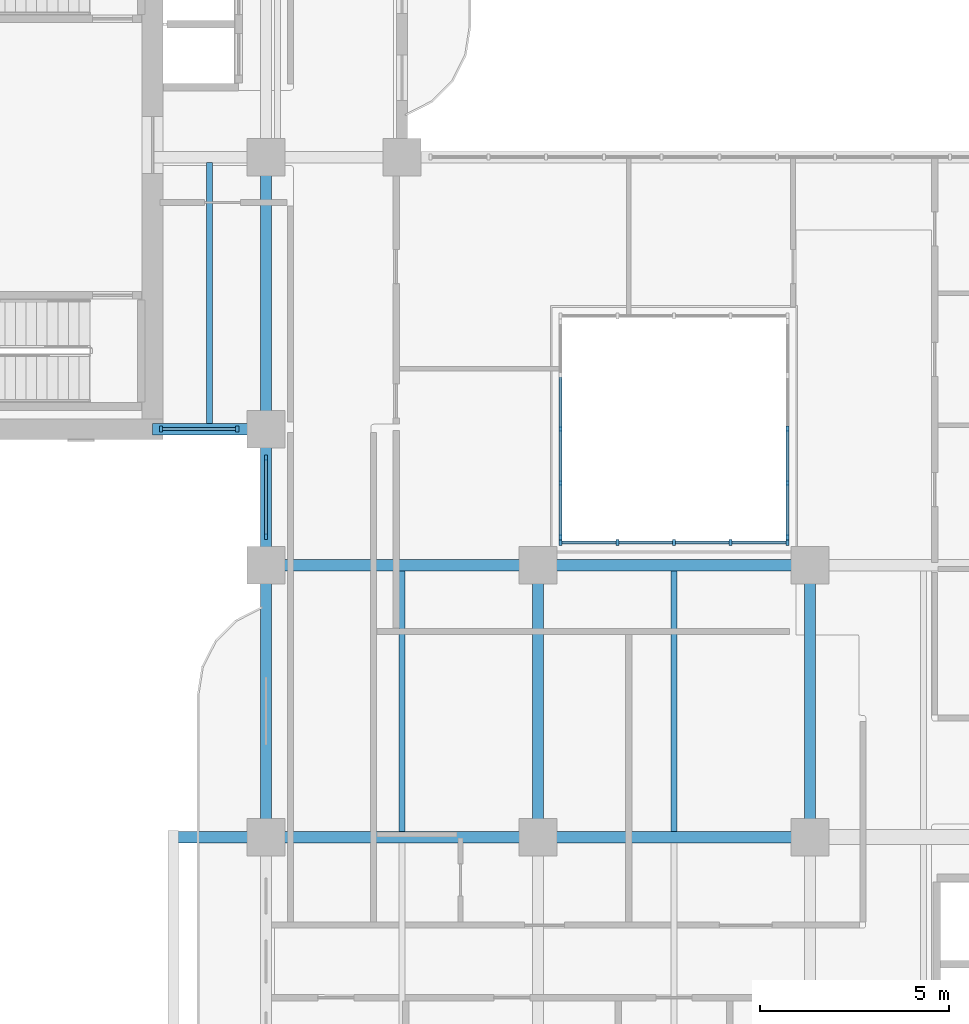
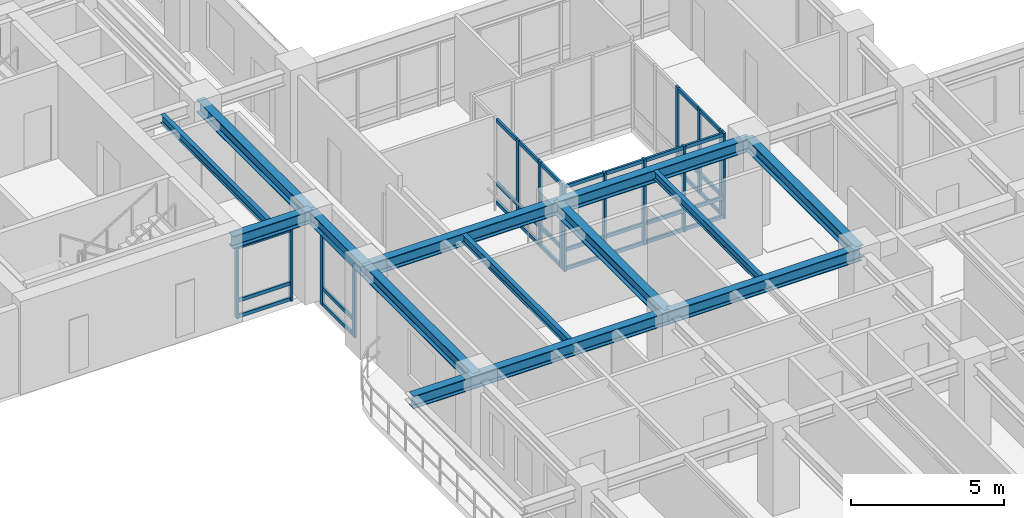
# One storey, part 2 of 21: 48 members, 13 beams, 5 elements without a shape of their own.
"""IFC4 building model written with IfcOpenShell, lengths in metres."""

import ifcopenshell
import ifcopenshell.guid

model = None  # the IFC model being written
_history = None  # IfcOwnerHistory: only IFC2X3 demands one
_inside = {}  # id of a spatial element -> (the spatial element, [elements in it])
_under = {}  # id of a project, library or spatial element -> (it, [spatial elements below it])
_declared = {}  # id of a project -> (the project, [libraries it declares])
_typed = {}  # id of a type object -> (the type object, [elements of that type])
_made_of = {}  # id of a material, layer set ... -> (it, [elements and type objects made of it])


def new_model(schema):
    """Start an empty IFC model of exactly this schema.

    Asked for "IFC4X3", IfcOpenShell would pick the latest addendum, in which some entities
    have other attributes; the version numbers below select the first issue.
    IFC2X3 requires an IfcOwnerHistory on every rooted entity: one is made here for all.
    """
    global model, _history
    if schema == "IFC4X3":
        model = ifcopenshell.file(schema_version=(4, 3, 0, 0))
    else:
        model = ifcopenshell.file(schema=schema)
    _inside.clear()
    _under.clear()
    _declared.clear()
    _typed.clear()
    _made_of.clear()
    _history = None
    if model.schema == "IFC2X3":
        org = make("IfcOrganization", Name="unknown")
        user = make(
            "IfcPersonAndOrganization",
            ThePerson=make("IfcPerson", FamilyName="unknown"),
            TheOrganization=org,
        )
        app = make(
            "IfcApplication",
            ApplicationDeveloper=org,
            Version="unknown",
            ApplicationFullName="unknown",
            ApplicationIdentifier="unknown",
        )
        _history = make(
            "IfcOwnerHistory",
            OwningUser=user,
            OwningApplication=app,
            ChangeAction="ADDED",
            CreationDate=0,
        )
    return model


def make(cls, **values):
    """One entity of the class cls with the attributes given. An attribute that is None is left unset."""
    return model.create_entity(
        cls, **{name: value for name, value in values.items() if value is not None}
    )


def rooted(cls, **values):
    """An entity with a GlobalId (a new one), such as an element, a storey or a relation."""
    return make(cls, GlobalId=ifcopenshell.guid.new(), OwnerHistory=_history, **values)


def si_unit(unit_type, name, prefix=None):
    """IfcSIUnit, for example si_unit("LENGTHUNIT", "METRE", prefix="MILLI")."""
    return make("IfcSIUnit", UnitType=unit_type, Prefix=prefix, Name=name)


def derived_unit(unit_type, elements):
    """IfcDerivedUnit: a product of units, each with its exponent."""
    return make(
        "IfcDerivedUnit",
        Elements=[
            make("IfcDerivedUnitElement", Unit=unit, Exponent=power)
            for unit, power in elements
        ],
        UnitType=unit_type,
    )


def assignment(units):
    """IfcUnitAssignment: the units of a project."""
    return None if units is None else make("IfcUnitAssignment", Units=units)


def point(xyz):
    """IfcCartesianPoint."""
    return None if xyz is None else make("IfcCartesianPoint", Coordinates=xyz)


def direction(xyz):
    """IfcDirection."""
    return None if xyz is None else make("IfcDirection", DirectionRatios=xyz)


def frame(location, z_axis=None, x_axis=None):
    """IfcAxis2Placement3D, a coordinate frame: its origin and axes. An axis left out is left unset."""
    return make(
        "IfcAxis2Placement3D",
        Location=point(location),
        Axis=direction(z_axis),
        RefDirection=direction(x_axis),
    )


def frame_2d(location, x_axis=None):
    """IfcAxis2Placement2D, a coordinate frame in the plane: its origin and x axis."""
    return make(
        "IfcAxis2Placement2D", Location=point(location), RefDirection=direction(x_axis)
    )


def origin():
    """The frame at (0, 0, 0) with its axes left unset."""
    return frame((0.0, 0.0, 0.0))


def origin_2d():
    """The frame at (0, 0) in the plane with its x axis left unset."""
    return frame_2d((0.0, 0.0))


def place(relative_to, where):
    """IfcLocalPlacement: puts the frame where relative to a parent placement (None: the world)."""
    return make(
        "IfcLocalPlacement", PlacementRelTo=relative_to, RelativePlacement=where
    )


def context(
    kind, dimensions, precision=None, world=None, true_north=None, identifier=None
):
    """IfcGeometricRepresentationContext, for example the 3D "Model" context."""
    return make(
        "IfcGeometricRepresentationContext",
        ContextIdentifier=identifier,
        ContextType=kind,
        CoordinateSpaceDimension=dimensions,
        Precision=precision,
        WorldCoordinateSystem=world,
        TrueNorth=true_north,
    )


def subcontext(parent, identifier, kind, view, scale=None):
    """IfcGeometricRepresentationSubContext, for example "Body" below "Model"."""
    return make(
        "IfcGeometricRepresentationSubContext",
        ContextIdentifier=identifier,
        ContextType=kind,
        ParentContext=parent,
        TargetScale=scale,
        TargetView=view,
    )


def project(units=None, contexts=None):
    """IfcProject with its units and contexts."""
    return rooted(
        "IfcProject",
        Name="project",
        RepresentationContexts=contexts,
        UnitsInContext=assignment(units),
    )


def spatial(cls, under=None, at=None, **own):
    """A site, building, storey or space (cls), placed at a placement, below another one or the project."""
    s = rooted(cls, ObjectPlacement=at, **own)
    if under is not None:
        _under.setdefault(under.id(), (under, []))[1].append(s)
    return s


def profile(cls, at=None, kind="AREA", **sizes):
    """A parametric profile (cls). Its sizes go by their IFC names, for example OverallWidth=200.0."""
    return make(cls, ProfileType=kind, Position=at, **sizes)


def rectangle(**sizes):
    """IfcRectangleProfileDef."""
    return profile("IfcRectangleProfileDef", **sizes)


def i_section(**sizes):
    """IfcIShapeProfileDef."""
    return profile("IfcIShapeProfileDef", **sizes)


def extrude(swept, where, along, depth):
    """IfcExtrudedAreaSolid: the profile swept, set in the frame where, extruded along a direction by depth."""
    return make(
        "IfcExtrudedAreaSolid",
        SweptArea=swept,
        Position=where,
        ExtrudedDirection=direction(along),
        Depth=depth,
    )


def shape(context_of_items, identifier, shape_type, items):
    """IfcShapeRepresentation: the items that make up one representation, for example the "Body"."""
    return make(
        "IfcShapeRepresentation",
        ContextOfItems=context_of_items,
        RepresentationIdentifier=identifier,
        RepresentationType=shape_type,
        Items=items,
    )


def source(mapping_origin, context_of_items, identifier, shape_type, items):
    """IfcRepresentationMap: a shape defined once, which mapped items show again and again."""
    return make(
        "IfcRepresentationMap",
        MappingOrigin=mapping_origin,
        MappedRepresentation=shape(context_of_items, identifier, shape_type, items),
    )


def transform(
    local_origin,
    x_axis=None,
    y_axis=None,
    z_axis=None,
    scale=None,
    scale2=None,
    scale3=None,
    uniform=True,
):
    """IfcCartesianTransformationOperator3D, or its non-uniform kind. x_axis, y_axis, z_axis: its Axis1, 2, 3."""
    if uniform:
        return make(
            "IfcCartesianTransformationOperator3D",
            Axis1=direction(x_axis),
            Axis2=direction(y_axis),
            LocalOrigin=point(local_origin),
            Scale=scale,
            Axis3=direction(z_axis),
        )
    return make(
        "IfcCartesianTransformationOperator3DnonUniform",
        Axis1=direction(x_axis),
        Axis2=direction(y_axis),
        LocalOrigin=point(local_origin),
        Scale=scale,
        Axis3=direction(z_axis),
        Scale2=scale2,
        Scale3=scale3,
    )


def mapped(mapping_source, mapping_target):
    """IfcMappedItem: shows the shape of a source again, moved by a transform."""
    return make(
        "IfcMappedItem", MappingSource=mapping_source, MappingTarget=mapping_target
    )


def material(Name=None, Category=None):
    """IfcMaterial."""
    return make("IfcMaterial", Name=Name, Category=Category)


def layer(
    of_material, thickness, ventilated=None, Name=None, Category=None, Priority=None
):
    """IfcMaterialLayer: one layer of a wall or slab, of a material (None: an air gap)."""
    return make(
        "IfcMaterialLayer",
        Material=of_material,
        LayerThickness=thickness,
        IsVentilated=ventilated,
        Name=Name,
        Category=Category,
        Priority=Priority,
    )


def layer_set(layers, Name=None):
    """IfcMaterialLayerSet."""
    return make("IfcMaterialLayerSet", MaterialLayers=layers, LayerSetName=Name)


def material_profile(
    of_material, cross_section, Name=None, Category=None, Priority=None
):
    """IfcMaterialProfile: a cross section and its material."""
    return make(
        "IfcMaterialProfile",
        Name=Name,
        Material=of_material,
        Profile=cross_section,
        Priority=Priority,
        Category=Category,
    )


def profile_set(profiles, Name=None, composite=None):
    """IfcMaterialProfileSet."""
    return make(
        "IfcMaterialProfileSet",
        Name=Name,
        MaterialProfiles=profiles,
        CompositeProfile=composite,
    )


def made_of(thing, what):
    """Note that an element or type object is made of a material, layer set ...; save() writes the relation."""
    if what is not None:
        _made_of.setdefault(what.id(), (what, []))[1].append(thing)
    return thing


def type_object(cls, material=None, **own):
    """A type object (cls), such as IfcWallType, which elements share."""
    return made_of(rooted(cls, **own), material)


def type_shapes(of_type, sources):
    """Give a type object the sources (RepresentationMaps) that its elements show as mapped items."""
    of_type.RepresentationMaps = sources


def element(
    cls,
    number,
    at=None,
    inside=None,
    cuts=None,
    type_object=None,
    material=None,
    context=None,
    identifier="Body",
    shape_type=None,
    held_by="IfcProductDefinitionShape",
    body=None,
    shapes=None,
    **own,
):
    """One element of the class cls, such as IfcWall. Its Tag is "e" and its number.

    at: its placement. inside: the storey or other place that contains it. cuts: it is an
    opening in that element (IfcRelVoidsElement). A single representation is given by context,
    identifier, shape_type and body (its items); several are given by shapes. held_by: the class
    of the entity that holds the representations. save() writes the other relations.
    """
    e = rooted(cls, Tag="e%d" % number, ObjectPlacement=at, **own)
    if body is not None:
        shapes = [shape(context, identifier, shape_type, body)]
    if shapes is not None:
        e.Representation = make(held_by, Representations=shapes)
    if inside is not None:
        _inside.setdefault(inside.id(), (inside, []))[1].append(e)
    if cuts is not None:
        rooted(
            "IfcRelVoidsElement", RelatingBuildingElement=cuts, RelatedOpeningElement=e
        )
    if type_object is not None:
        _typed.setdefault(type_object.id(), (type_object, []))[1].append(e)
    return made_of(e, material)


def aggregate(whole, parts):
    """IfcRelAggregates: a whole, such as a stair, and the parts it consists of."""
    return rooted("IfcRelAggregates", RelatingObject=whole, RelatedObjects=parts)


def save(model, path):
    """Write the relations noted so far, then the file.

    IfcRelAggregates (storeys below a building ...), IfcRelContainedInSpatialStructure (elements
    in a storey), IfcRelDefinesByType, IfcRelAssociatesMaterial and IfcRelDeclares: one each for
    every whole, place, type object, material and project.
    """
    for whole, parts in _under.values():
        aggregate(whole, parts)
    for where, things in _inside.values():
        rooted(
            "IfcRelContainedInSpatialStructure",
            RelatedElements=things,
            RelatingStructure=where,
        )
    for kind, things in _typed.values():
        rooted("IfcRelDefinesByType", RelatedObjects=things, RelatingType=kind)
    for what, things in _made_of.values():
        rooted("IfcRelAssociatesMaterial", RelatedObjects=things, RelatingMaterial=what)
    for by, libraries in _declared.values():
        rooted("IfcRelDeclares", RelatingContext=by, RelatedDefinitions=libraries)
    model.write(path)


model = new_model("IFC4")

# Units and contexts
model_context = context("Model", 3, precision=1e-05, world=origin(), true_north=direction((0.0, 1.0)))
body_context = subcontext(model_context, "Body", "Model", "MODEL_VIEW")
ifc_project = project(units=[si_unit("LENGTHUNIT", "METRE"), si_unit("AREAUNIT", "SQUARE_METRE"), si_unit("VOLUMEUNIT", "CUBIC_METRE"), si_unit("PLANEANGLEUNIT", "RADIAN"), si_unit("MASSUNIT", "GRAM", prefix="KILO"), si_unit("THERMODYNAMICTEMPERATUREUNIT", "KELVIN"), si_unit("POWERUNIT", "WATT"), derived_unit("THERMALTRANSMITTANCEUNIT", [(si_unit("POWERUNIT", "WATT"), 1), (si_unit("AREAUNIT", "SQUARE_METRE"), -1), (si_unit("THERMODYNAMICTEMPERATUREUNIT", "KELVIN"), -1)])], contexts=[model_context])

# Site, building, storey
site_placement = place(None, origin())
site = spatial("IfcSite", under=ifc_project, at=site_placement, CompositionType="ELEMENT")
building_placement = place(site_placement, origin())
building = spatial("IfcBuilding", under=site, at=building_placement, Name="Zahravan Archway Hotel and Residences", CompositionType="ELEMENT")
storey_placement = place(building_placement, frame((0.0, 0.0, 141.39990234375)))
storey = spatial("IfcBuildingStorey", under=building, at=storey_placement, Name="L35", CompositionType="ELEMENT", Elevation=141.39990234375)

# Beams
ifc_material_1 = material(Name="Structural Steel S355JR", Category="steel")
ifc_material_profile_1 = material_profile(ifc_material_1, i_section(OverallWidth=0.300048828125, OverallDepth=0.5, WebThickness=0.014404296875, FlangeThickness=0.028076171875, FilletRadius=0.027099609375, at=origin_2d()), Name="HEB 500", Category="steel")
ifc_profile_set_1 = profile_set([ifc_material_profile_1], Name="Structural Steel S355JR")
beam_type_1 = type_object("IfcBeamType", Name="BM-PRI-HEB500", PredefinedType="BEAM", material=ifc_profile_set_1)
shared_shape_1 = source(origin(), body_context, "Body", "SweptSolid", [
    extrude(i_section(OverallWidth=0.300048828125, OverallDepth=0.5, WebThickness=0.014404296875, FlangeThickness=0.028076171875, FilletRadius=0.027099609375, at=origin_2d()), origin(), (0.0, 0.0, 1.0), 7.2001953125),
])
type_shapes(beam_type_1, [shared_shape_1])
for number, where, z_axis, x_axis, name in (
    (1, (14.39990234375, 21.60009765625, 3.150146484375), (1.0, 0.0, 0.0), (0.0, 1.0, 0.0), "L35 Primary Girder EW-11"),
    (2, (14.39990234375, 14.39990234375, 3.150146484375), (0.0, 1.0, 0.0), (-1.0, 0.0, 0.0), "L35 Primary Girder NS-30"),
    (3, (21.60009765625, 14.39990234375, 3.150146484375), (0.0, 1.0, 0.0), (-1.0, 0.0, 0.0), "L35 Primary Girder NS-37"),
    (4, (28.800048828125, 14.39990234375, 3.150146484375), (0.0, 1.0, 0.0), (-1.0, 0.0, 0.0), "L35 Primary Girder NS-40"),
):
    element("IfcBeam", number, at=place(storey_placement, frame(where, z_axis=z_axis, x_axis=x_axis)), inside=storey, type_object=beam_type_1, Name=name, PredefinedType="BEAM", context=body_context, shape_type="MappedRepresentation", body=[
        mapped(shared_shape_1, transform((0.0, 0.0, 0.0), scale=1.0)),
    ])
shared_shape_2 = source(origin(), body_context, "Body", "SweptSolid", [
    extrude(i_section(OverallWidth=0.300048828125, OverallDepth=0.5, WebThickness=0.014404296875, FlangeThickness=0.028076171875, FilletRadius=0.027099609375, at=origin_2d()), origin(), (0.0, 0.0, 1.0), 7.199951171875),
])
for number, where, z_axis, x_axis, name in (
    (5, (21.60009765625, 14.39990234375, 3.150146484375), (1.0, 0.0, 0.0), (0.0, 1.0, 0.0), "L35 Primary Girder EW-10"),
    (6, (21.60009765625, 21.60009765625, 3.150146484375), (1.0, 0.0, 0.0), (0.0, 1.0, 0.0), "L35 Primary Girder EW-12"),
    (7, (14.39990234375, 25.199951171875, 3.150146484375), (0.0, 1.0, 0.0), (-1.0, 0.0, 0.0), "L35 Primary Girder NS-32"),
):
    element("IfcBeam", number, at=place(storey_placement, frame(where, z_axis=z_axis, x_axis=x_axis)), inside=storey, type_object=beam_type_1, Name=name, PredefinedType="BEAM", context=body_context, shape_type="MappedRepresentation", body=[
        mapped(shared_shape_2, transform((0.0, 0.0, 0.0), scale=1.0)),
    ])
shared_shape_3 = source(origin(), body_context, "Body", "SweptSolid", [
    extrude(i_section(OverallWidth=0.300048828125, OverallDepth=0.5, WebThickness=0.014404296875, FlangeThickness=0.028076171875, FilletRadius=0.027099609375, at=origin_2d()), origin(), (0.0, 0.0, 1.0), 9.650146484375),
])
beam_1_placement = place(storey_placement, frame((11.949951171875, 14.39990234375, 3.150146484375), z_axis=(1.0, 0.0, 0.0), x_axis=(0.0, 1.0, 0.0)))
element("IfcBeam", 8, at=beam_1_placement, inside=storey, type_object=beam_type_1, Name="L35 Primary Girder EW-09", PredefinedType="BEAM", context=body_context, shape_type="MappedRepresentation", body=[
    mapped(shared_shape_3, transform((0.0, 0.0, 0.0), scale=1.0)),
])
shared_shape_4 = source(origin(), body_context, "Body", "SweptSolid", [
    extrude(i_section(OverallWidth=0.300048828125, OverallDepth=0.5, WebThickness=0.014404296875, FlangeThickness=0.028076171875, FilletRadius=0.027099609375, at=origin_2d()), origin(), (0.0, 0.0, 1.0), 3.0),
])
beam_2_placement = place(storey_placement, frame((11.39990234375, 25.199951171875, 3.150146484375), z_axis=(1.0, 0.0, 0.0), x_axis=(0.0, 1.0, 0.0)))
element("IfcBeam", 9, at=beam_2_placement, inside=storey, type_object=beam_type_1, Name="L35 Primary Girder EW-16", PredefinedType="BEAM", context=body_context, shape_type="MappedRepresentation", body=[
    mapped(shared_shape_4, transform((0.0, 0.0, 0.0), scale=1.0)),
])
shared_shape_5 = source(origin(), body_context, "Body", "SweptSolid", [
    extrude(i_section(OverallWidth=0.300048828125, OverallDepth=0.5, WebThickness=0.014404296875, FlangeThickness=0.028076171875, FilletRadius=0.027099609375, at=origin_2d()), origin(), (0.0, 0.0, 1.0), 3.599853515625),
])
beam_3_placement = place(storey_placement, frame((14.39990234375, 21.60009765625, 3.150146484375), z_axis=(0.0, 1.0, 0.0), x_axis=(-1.0, 0.0, 0.0)))
element("IfcBeam", 10, at=beam_3_placement, inside=storey, type_object=beam_type_1, Name="L35 Primary Girder NS-31", PredefinedType="BEAM", context=body_context, shape_type="MappedRepresentation", body=[
    mapped(shared_shape_5, transform((0.0, 0.0, 0.0), scale=1.0)),
])
ifc_material_profile_2 = material_profile(ifc_material_1, i_section(OverallWidth=0.159912109375, OverallDepth=0.330078125, WebThickness=0.007568359375, FlangeThickness=0.011474609375, FilletRadius=0.01806640625, at=origin_2d()), Name="IPE 330", Category="steel")
ifc_profile_set_2 = profile_set([ifc_material_profile_2], Name="Structural Steel S355JR")
beam_type_2 = type_object("IfcBeamType", Name="BM-JST-IPE330", PredefinedType="JOIST", material=ifc_profile_set_2)
shared_shape_6 = source(origin(), body_context, "Body", "SweptSolid", [
    extrude(i_section(OverallWidth=0.159912109375, OverallDepth=0.330078125, WebThickness=0.007568359375, FlangeThickness=0.011474609375, FilletRadius=0.01806640625, at=origin_2d()), origin(), (0.0, 0.0, 1.0), 6.904052734375),
])
type_shapes(beam_type_2, [shared_shape_6])
beam_4_placement = place(storey_placement, frame((12.89990234375, 25.347900390625, 3.235107421875), z_axis=(0.0, 1.0, 0.0), x_axis=(-1.0, 0.0, 0.0)))
element("IfcBeam", 11, at=beam_4_placement, inside=storey, type_object=beam_type_2, Name="L35 Composite Floor Joist 10", PredefinedType="JOIST", context=body_context, shape_type="MappedRepresentation", body=[
    mapped(shared_shape_6, transform((0.0, 0.0, 0.0), scale=1.0)),
])
shared_shape_7 = source(origin(), body_context, "Body", "SweptSolid", [
    extrude(i_section(OverallWidth=0.159912109375, OverallDepth=0.330078125, WebThickness=0.007568359375, FlangeThickness=0.011474609375, FilletRadius=0.01806640625, at=origin_2d()), origin(), (0.0, 0.0, 1.0), 6.90380859375),
])
for number, where, z_axis, x_axis, name in (
    (12, (18.0, 14.548095703125, 3.235107421875), (0.0, 1.0, 0.0), (-1.0, 0.0, 0.0), "L35 Composite Floor Joist 08"),
    (13, (25.199951171875, 14.548095703125, 3.235107421875), (0.0, 1.0, 0.0), (-1.0, 0.0, 0.0), "L35 Composite Floor Joist 09"),
):
    element("IfcBeam", number, at=place(storey_placement, frame(where, z_axis=z_axis, x_axis=x_axis)), inside=storey, type_object=beam_type_2, Name=name, PredefinedType="JOIST", context=body_context, shape_type="MappedRepresentation", body=[
        mapped(shared_shape_7, transform((0.0, 0.0, 0.0), scale=1.0)),
    ])

# Curtain wall, members
ifc_material_2 = material(Name="Bronze-Anodized Unitised Aluminium & Low-E Glass", Category="aluminium")
ifc_layer = layer(ifc_material_2, 0.179931640625, Name="Bronze-Anodized Unitised Aluminium & Low-E Glass", Category="aluminium")
ifc_layer_set = layer_set([ifc_layer], Name="Bronze-Anodized Unitised Aluminium & Low-E Glass")
curtain_wall_type = type_object("IfcCurtainWallType", Name="CW-ATR-GLAZ", PredefinedType="NOTDEFINED", material=ifc_layer_set)
curtain_wall_1_placement = place(storey_placement, origin())
curtain_wall_1 = element("IfcCurtainWall", 14, at=curtain_wall_1_placement, inside=storey, type_object=curtain_wall_type, Name="L35 Curtain Wall CW-L35-WA-WLU-1", PredefinedType="NOTDEFINED")
ifc_material_3 = material(Name="Bronze-Anodized Extruded Aluminium", Category="aluminium")
ifc_material_profile_3 = material_profile(ifc_material_3, rectangle(XDim=0.080078125, YDim=0.159912109375, at=origin_2d()), Name="MUL 80x160", Category="aluminium")
ifc_profile_set_3 = profile_set([ifc_material_profile_3], Name="Bronze-Anodized Extruded Aluminium")
member_type_1 = type_object("IfcMemberType", Name="CWM-MUL-160", PredefinedType="MULLION", material=ifc_profile_set_3)
shared_shape_8 = source(origin(), body_context, "Body", "SweptSolid", [
    extrude(rectangle(XDim=0.080078125, YDim=0.159912109375, at=origin_2d()), origin(), (0.0, 0.0, 1.0), 2.885009765625),
])
member_1_placement = place(storey_placement, frame((14.39990234375, 22.360107421875, 0.0), z_axis=(0.0, 0.0, 1.0), x_axis=(1.0, 0.0, 0.0)))
member_1 = element("IfcMember", 15, at=member_1_placement, type_object=member_type_1, Name="CW-L35-WA-WLU-1 Mullion 0", PredefinedType="MULLION", context=body_context, shape_type="MappedRepresentation", body=[
    mapped(shared_shape_8, transform((0.0, 0.0, 0.0), scale=1.0)),
])
member_2_placement = place(storey_placement, frame((14.39990234375, 24.43994140625, 0.0), z_axis=(0.0, 0.0, 1.0), x_axis=(1.0, 0.0, 0.0)))
member_2 = element("IfcMember", 16, at=member_2_placement, type_object=member_type_1, Name="CW-L35-WA-WLU-1 Mullion 1", PredefinedType="MULLION", context=body_context, shape_type="MappedRepresentation", body=[
    mapped(shared_shape_8, transform((0.0, 0.0, 0.0), scale=1.0)),
])

curtain_wall_2_placement = place(storey_placement, origin())
curtain_wall_2 = element("IfcCurtainWall", 17, at=curtain_wall_2_placement, inside=storey, type_object=curtain_wall_type, Name="L35 Curtain Wall CW-L35-WB-SE-1", PredefinedType="NOTDEFINED")
member_3_placement = place(storey_placement, frame((11.6201171875, 25.199951171875, 0.0), z_axis=(0.0, 0.0, 1.0), x_axis=(1.0, 0.0, 0.0)))
member_3 = element("IfcMember", 18, at=member_3_placement, type_object=member_type_1, Name="CW-L35-WB-SE-1 Mullion 0", PredefinedType="MULLION", context=body_context, shape_type="MappedRepresentation", body=[
    mapped(shared_shape_8, transform((0.0, 0.0, 0.0), scale=1.0)),
])
member_4_placement = place(storey_placement, frame((13.639892578125, 25.199951171875, 0.0), z_axis=(0.0, 0.0, 1.0), x_axis=(1.0, 0.0, 0.0)))
member_4 = element("IfcMember", 19, at=member_4_placement, type_object=member_type_1, Name="CW-L35-WB-SE-1 Mullion 1", PredefinedType="MULLION", context=body_context, shape_type="MappedRepresentation", body=[
    mapped(shared_shape_8, transform((0.0, 0.0, 0.0), scale=1.0)),
])
ifc_material_profile_4 = material_profile(ifc_material_3, rectangle(XDim=0.080078125, YDim=0.139892578125, at=origin_2d()), Name="TRN 80x140", Category="aluminium")
ifc_profile_set_4 = profile_set([ifc_material_profile_4], Name="Bronze-Anodized Extruded Aluminium")
member_type_2 = type_object("IfcMemberType", Name="CWM-TRN-140", PredefinedType="USERDEFINED", material=ifc_profile_set_4)
shared_shape_9 = source(origin(), body_context, "Body", "SweptSolid", [
    extrude(rectangle(XDim=0.080078125, YDim=0.139892578125, at=origin_2d()), origin(), (0.0, 0.0, 1.0), 1.940185546875),
])
member_5_placement = place(storey_placement, frame((11.659912109375, 25.199951171875, 0.070068359375), z_axis=(1.0, 0.0, 0.0), x_axis=(0.0, 1.0, 0.0)))
member_5 = element("IfcMember", 20, at=member_5_placement, type_object=member_type_2, Name="CW-L35-WB-SE-1 Transom 0-1", ObjectType="TRANSOM", PredefinedType="USERDEFINED", context=body_context, shape_type="MappedRepresentation", body=[
    mapped(shared_shape_9, transform((0.0, 0.0, 0.0), scale=1.0)),
])
member_6_placement = place(storey_placement, frame((11.659912109375, 25.199951171875, 0.6923828125), z_axis=(1.0, 0.0, 0.0), x_axis=(0.0, 1.0, 0.0)))
member_6 = element("IfcMember", 21, at=member_6_placement, type_object=member_type_2, Name="CW-L35-WB-SE-1 Transom 0-2", ObjectType="TRANSOM", PredefinedType="USERDEFINED", context=body_context, shape_type="MappedRepresentation", body=[
    mapped(shared_shape_9, transform((0.0, 0.0, 0.0), scale=1.0)),
])
member_7_placement = place(storey_placement, frame((11.659912109375, 25.199951171875, 2.815185546875), z_axis=(1.0, 0.0, 0.0), x_axis=(0.0, 1.0, 0.0)))
member_7 = element("IfcMember", 22, at=member_7_placement, type_object=member_type_2, Name="CW-L35-WB-SE-1 Transom 0-3", ObjectType="TRANSOM", PredefinedType="USERDEFINED", context=body_context, shape_type="MappedRepresentation", body=[
    mapped(shared_shape_9, transform((0.0, 0.0, 0.0), scale=1.0)),
])
aggregate(curtain_wall_2, [member_3, member_4, member_5, member_6, member_7])

# Member
shared_shape_10 = source(origin(), body_context, "Body", "SweptSolid", [
    extrude(rectangle(XDim=0.080078125, YDim=0.139892578125, at=origin_2d()), origin(), (0.0, 0.0, 1.0), 2.0),
])
member_8_placement = place(storey_placement, frame((14.39990234375, 22.39990234375, 0.070068359375), z_axis=(0.0, 1.0, 0.0), x_axis=(-1.0, 0.0, 0.0)))
member_8 = element("IfcMember", 23, at=member_8_placement, type_object=member_type_2, Name="CW-L35-WA-WLU-1 Transom 0-1", ObjectType="TRANSOM", PredefinedType="USERDEFINED", context=body_context, shape_type="MappedRepresentation", body=[
    mapped(shared_shape_10, transform((0.0, 0.0, 0.0), scale=1.0)),
])

member_9_placement = place(storey_placement, frame((14.39990234375, 22.39990234375, 0.6923828125), z_axis=(0.0, 1.0, 0.0), x_axis=(-1.0, 0.0, 0.0)))
member_9 = element("IfcMember", 24, at=member_9_placement, type_object=member_type_2, Name="CW-L35-WA-WLU-1 Transom 0-2", ObjectType="TRANSOM", PredefinedType="USERDEFINED", context=body_context, shape_type="MappedRepresentation", body=[
    mapped(shared_shape_10, transform((0.0, 0.0, 0.0), scale=1.0)),
])

member_10_placement = place(storey_placement, frame((14.39990234375, 22.39990234375, 2.815185546875), z_axis=(0.0, 1.0, 0.0), x_axis=(-1.0, 0.0, 0.0)))
member_10 = element("IfcMember", 25, at=member_10_placement, type_object=member_type_2, Name="CW-L35-WA-WLU-1 Transom 0-3", ObjectType="TRANSOM", PredefinedType="USERDEFINED", context=body_context, shape_type="MappedRepresentation", body=[
    mapped(shared_shape_10, transform((0.0, 0.0, 0.0), scale=1.0)),
])

aggregate(curtain_wall_1, [member_1, member_2, member_8, member_9, member_10])

# Curtain wall, members
curtain_wall_3_placement = place(storey_placement, origin())
curtain_wall_3 = element("IfcCurtainWall", 26, at=curtain_wall_3_placement, inside=storey, type_object=curtain_wall_type, Name="L35 Curtain Wall CW-ATR-L35-S-1", PredefinedType="NOTDEFINED")
shared_shape_11 = source(origin(), body_context, "Body", "SweptSolid", [
    extrude(rectangle(XDim=0.080078125, YDim=0.139892578125, at=origin_2d()), origin(), (0.0, 0.0, 1.0), 1.419921875),
])
member_11_placement = place(storey_placement, frame((22.239990234375, 22.199951171875, 0.070068359375), z_axis=(1.0, 0.0, 0.0), x_axis=(0.0, 1.0, 0.0)))
member_11 = element("IfcMember", 27, at=member_11_placement, type_object=member_type_2, Name="CW-ATR-L35-S-1 Transom 0-1", ObjectType="TRANSOM", PredefinedType="USERDEFINED", context=body_context, shape_type="MappedRepresentation", body=[
    mapped(shared_shape_11, transform((0.0, 0.0, 0.0), scale=1.0)),
])
member_12_placement = place(storey_placement, frame((22.239990234375, 22.199951171875, 0.816162109375), z_axis=(1.0, 0.0, 0.0), x_axis=(0.0, 1.0, 0.0)))
member_12 = element("IfcMember", 28, at=member_12_placement, type_object=member_type_2, Name="CW-ATR-L35-S-1 Transom 0-2", ObjectType="TRANSOM", PredefinedType="USERDEFINED", context=body_context, shape_type="MappedRepresentation", body=[
    mapped(shared_shape_11, transform((0.0, 0.0, 0.0), scale=1.0)),
])
member_13_placement = place(storey_placement, frame((22.239990234375, 22.199951171875, 3.330078125), z_axis=(1.0, 0.0, 0.0), x_axis=(0.0, 1.0, 0.0)))
member_13 = element("IfcMember", 29, at=member_13_placement, type_object=member_type_2, Name="CW-ATR-L35-S-1 Transom 0-3", ObjectType="TRANSOM", PredefinedType="USERDEFINED", context=body_context, shape_type="MappedRepresentation", body=[
    mapped(shared_shape_11, transform((0.0, 0.0, 0.0), scale=1.0)),
])
member_14_placement = place(storey_placement, frame((23.739990234375, 22.199951171875, 0.070068359375), z_axis=(1.0, 0.0, 0.0), x_axis=(0.0, 1.0, 0.0)))
member_14 = element("IfcMember", 30, at=member_14_placement, type_object=member_type_2, Name="CW-ATR-L35-S-1 Transom 1-1", ObjectType="TRANSOM", PredefinedType="USERDEFINED", context=body_context, shape_type="MappedRepresentation", body=[
    mapped(shared_shape_11, transform((0.0, 0.0, 0.0), scale=1.0)),
])
member_15_placement = place(storey_placement, frame((23.739990234375, 22.199951171875, 0.816162109375), z_axis=(1.0, 0.0, 0.0), x_axis=(0.0, 1.0, 0.0)))
member_15 = element("IfcMember", 31, at=member_15_placement, type_object=member_type_2, Name="CW-ATR-L35-S-1 Transom 1-2", ObjectType="TRANSOM", PredefinedType="USERDEFINED", context=body_context, shape_type="MappedRepresentation", body=[
    mapped(shared_shape_11, transform((0.0, 0.0, 0.0), scale=1.0)),
])
member_16_placement = place(storey_placement, frame((23.739990234375, 22.199951171875, 3.330078125), z_axis=(1.0, 0.0, 0.0), x_axis=(0.0, 1.0, 0.0)))
member_16 = element("IfcMember", 32, at=member_16_placement, type_object=member_type_2, Name="CW-ATR-L35-S-1 Transom 1-3", ObjectType="TRANSOM", PredefinedType="USERDEFINED", context=body_context, shape_type="MappedRepresentation", body=[
    mapped(shared_shape_11, transform((0.0, 0.0, 0.0), scale=1.0)),
])
member_17_placement = place(storey_placement, frame((25.239990234375, 22.199951171875, 0.070068359375), z_axis=(1.0, 0.0, 0.0), x_axis=(0.0, 1.0, 0.0)))
member_17 = element("IfcMember", 33, at=member_17_placement, type_object=member_type_2, Name="CW-ATR-L35-S-1 Transom 2-1", ObjectType="TRANSOM", PredefinedType="USERDEFINED", context=body_context, shape_type="MappedRepresentation", body=[
    mapped(shared_shape_11, transform((0.0, 0.0, 0.0), scale=1.0)),
])
member_18_placement = place(storey_placement, frame((25.239990234375, 22.199951171875, 0.816162109375), z_axis=(1.0, 0.0, 0.0), x_axis=(0.0, 1.0, 0.0)))
member_18 = element("IfcMember", 34, at=member_18_placement, type_object=member_type_2, Name="CW-ATR-L35-S-1 Transom 2-2", ObjectType="TRANSOM", PredefinedType="USERDEFINED", context=body_context, shape_type="MappedRepresentation", body=[
    mapped(shared_shape_11, transform((0.0, 0.0, 0.0), scale=1.0)),
])
member_19_placement = place(storey_placement, frame((25.239990234375, 22.199951171875, 3.330078125), z_axis=(1.0, 0.0, 0.0), x_axis=(0.0, 1.0, 0.0)))
member_19 = element("IfcMember", 35, at=member_19_placement, type_object=member_type_2, Name="CW-ATR-L35-S-1 Transom 2-3", ObjectType="TRANSOM", PredefinedType="USERDEFINED", context=body_context, shape_type="MappedRepresentation", body=[
    mapped(shared_shape_11, transform((0.0, 0.0, 0.0), scale=1.0)),
])
member_20_placement = place(storey_placement, frame((26.739990234375, 22.199951171875, 0.070068359375), z_axis=(1.0, 0.0, 0.0), x_axis=(0.0, 1.0, 0.0)))
member_20 = element("IfcMember", 36, at=member_20_placement, type_object=member_type_2, Name="CW-ATR-L35-S-1 Transom 3-1", ObjectType="TRANSOM", PredefinedType="USERDEFINED", context=body_context, shape_type="MappedRepresentation", body=[
    mapped(shared_shape_11, transform((0.0, 0.0, 0.0), scale=1.0)),
])
member_21_placement = place(storey_placement, frame((26.739990234375, 22.199951171875, 0.816162109375), z_axis=(1.0, 0.0, 0.0), x_axis=(0.0, 1.0, 0.0)))
member_21 = element("IfcMember", 37, at=member_21_placement, type_object=member_type_2, Name="CW-ATR-L35-S-1 Transom 3-2", ObjectType="TRANSOM", PredefinedType="USERDEFINED", context=body_context, shape_type="MappedRepresentation", body=[
    mapped(shared_shape_11, transform((0.0, 0.0, 0.0), scale=1.0)),
])
member_22_placement = place(storey_placement, frame((26.739990234375, 22.199951171875, 3.330078125), z_axis=(1.0, 0.0, 0.0), x_axis=(0.0, 1.0, 0.0)))
member_22 = element("IfcMember", 38, at=member_22_placement, type_object=member_type_2, Name="CW-ATR-L35-S-1 Transom 3-3", ObjectType="TRANSOM", PredefinedType="USERDEFINED", context=body_context, shape_type="MappedRepresentation", body=[
    mapped(shared_shape_11, transform((0.0, 0.0, 0.0), scale=1.0)),
])

curtain_wall_4_placement = place(storey_placement, origin())
curtain_wall_4 = element("IfcCurtainWall", 39, at=curtain_wall_4_placement, inside=storey, type_object=curtain_wall_type, Name="L35 Curtain Wall CW-ATR-L35-W-1", PredefinedType="NOTDEFINED")
shared_shape_12 = source(origin(), body_context, "Body", "SweptSolid", [
    extrude(rectangle(XDim=0.080078125, YDim=0.139892578125, at=origin_2d()), origin(), (0.0, 0.0, 1.0), 1.34521484375),
])
member_23_placement = place(storey_placement, frame((22.199951171875, 22.389892578125, 0.070068359375), z_axis=(0.0, 1.0, 0.0), x_axis=(-1.0, 0.0, 0.0)))
member_23 = element("IfcMember", 40, at=member_23_placement, type_object=member_type_2, Name="CW-ATR-L35-W-1 Transom 0-1", ObjectType="TRANSOM", PredefinedType="USERDEFINED", context=body_context, shape_type="MappedRepresentation", body=[
    mapped(shared_shape_12, transform((0.0, 0.0, 0.0), scale=1.0)),
])
member_24_placement = place(storey_placement, frame((22.199951171875, 22.389892578125, 0.816162109375), z_axis=(0.0, 1.0, 0.0), x_axis=(-1.0, 0.0, 0.0)))
member_24 = element("IfcMember", 41, at=member_24_placement, type_object=member_type_2, Name="CW-ATR-L35-W-1 Transom 0-2", ObjectType="TRANSOM", PredefinedType="USERDEFINED", context=body_context, shape_type="MappedRepresentation", body=[
    mapped(shared_shape_12, transform((0.0, 0.0, 0.0), scale=1.0)),
])
member_25_placement = place(storey_placement, frame((22.199951171875, 22.389892578125, 3.330078125), z_axis=(0.0, 1.0, 0.0), x_axis=(-1.0, 0.0, 0.0)))
member_25 = element("IfcMember", 42, at=member_25_placement, type_object=member_type_2, Name="CW-ATR-L35-W-1 Transom 0-3", ObjectType="TRANSOM", PredefinedType="USERDEFINED", context=body_context, shape_type="MappedRepresentation", body=[
    mapped(shared_shape_12, transform((0.0, 0.0, 0.0), scale=1.0)),
])

curtain_wall_5_placement = place(storey_placement, origin())
curtain_wall_5 = element("IfcCurtainWall", 43, at=curtain_wall_5_placement, inside=storey, type_object=curtain_wall_type, Name="L35 Curtain Wall CW-ATR-L35-E-1", PredefinedType="NOTDEFINED")
member_26_placement = place(storey_placement, frame((28.199951171875, 22.389892578125, 0.070068359375), z_axis=(0.0, 1.0, 0.0), x_axis=(-1.0, 0.0, 0.0)))
member_26 = element("IfcMember", 44, at=member_26_placement, type_object=member_type_2, Name="CW-ATR-L35-E-1 Transom 0-1", ObjectType="TRANSOM", PredefinedType="USERDEFINED", context=body_context, shape_type="MappedRepresentation", body=[
    mapped(shared_shape_12, transform((0.0, 0.0, 0.0), scale=1.0)),
])
member_27_placement = place(storey_placement, frame((28.199951171875, 22.389892578125, 0.816162109375), z_axis=(0.0, 1.0, 0.0), x_axis=(-1.0, 0.0, 0.0)))
member_27 = element("IfcMember", 45, at=member_27_placement, type_object=member_type_2, Name="CW-ATR-L35-E-1 Transom 0-2", ObjectType="TRANSOM", PredefinedType="USERDEFINED", context=body_context, shape_type="MappedRepresentation", body=[
    mapped(shared_shape_12, transform((0.0, 0.0, 0.0), scale=1.0)),
])
member_28_placement = place(storey_placement, frame((28.199951171875, 22.389892578125, 3.330078125), z_axis=(0.0, 1.0, 0.0), x_axis=(-1.0, 0.0, 0.0)))
member_28 = element("IfcMember", 46, at=member_28_placement, type_object=member_type_2, Name="CW-ATR-L35-E-1 Transom 0-3", ObjectType="TRANSOM", PredefinedType="USERDEFINED", context=body_context, shape_type="MappedRepresentation", body=[
    mapped(shared_shape_12, transform((0.0, 0.0, 0.0), scale=1.0)),
])

# Member
shared_shape_13 = source(origin(), body_context, "Body", "SweptSolid", [
    extrude(rectangle(XDim=0.080078125, YDim=0.139892578125, at=origin_2d()), origin(), (0.0, 0.0, 1.0), 1.344970703125),
])
member_29_placement = place(storey_placement, frame((22.199951171875, 23.81494140625, 0.070068359375), z_axis=(0.0, 1.0, 0.0), x_axis=(-1.0, 0.0, 0.0)))
member_29 = element("IfcMember", 47, at=member_29_placement, type_object=member_type_2, Name="CW-ATR-L35-W-1 Transom 1-1", ObjectType="TRANSOM", PredefinedType="USERDEFINED", context=body_context, shape_type="MappedRepresentation", body=[
    mapped(shared_shape_13, transform((0.0, 0.0, 0.0), scale=1.0)),
])

member_30_placement = place(storey_placement, frame((22.199951171875, 23.81494140625, 0.816162109375), z_axis=(0.0, 1.0, 0.0), x_axis=(-1.0, 0.0, 0.0)))
member_30 = element("IfcMember", 48, at=member_30_placement, type_object=member_type_2, Name="CW-ATR-L35-W-1 Transom 1-2", ObjectType="TRANSOM", PredefinedType="USERDEFINED", context=body_context, shape_type="MappedRepresentation", body=[
    mapped(shared_shape_13, transform((0.0, 0.0, 0.0), scale=1.0)),
])

member_31_placement = place(storey_placement, frame((22.199951171875, 23.81494140625, 3.330078125), z_axis=(0.0, 1.0, 0.0), x_axis=(-1.0, 0.0, 0.0)))
member_31 = element("IfcMember", 49, at=member_31_placement, type_object=member_type_2, Name="CW-ATR-L35-W-1 Transom 1-3", ObjectType="TRANSOM", PredefinedType="USERDEFINED", context=body_context, shape_type="MappedRepresentation", body=[
    mapped(shared_shape_13, transform((0.0, 0.0, 0.0), scale=1.0)),
])

member_32_placement = place(storey_placement, frame((22.199951171875, 25.239990234375, 0.070068359375), z_axis=(0.0, 1.0, 0.0), x_axis=(-1.0, 0.0, 0.0)))
member_32 = element("IfcMember", 50, at=member_32_placement, type_object=member_type_2, Name="CW-ATR-L35-W-1 Transom 2-1", ObjectType="TRANSOM", PredefinedType="USERDEFINED", context=body_context, shape_type="MappedRepresentation", body=[
    mapped(shared_shape_13, transform((0.0, 0.0, 0.0), scale=1.0)),
])

member_33_placement = place(storey_placement, frame((22.199951171875, 25.239990234375, 0.816162109375), z_axis=(0.0, 1.0, 0.0), x_axis=(-1.0, 0.0, 0.0)))
member_33 = element("IfcMember", 51, at=member_33_placement, type_object=member_type_2, Name="CW-ATR-L35-W-1 Transom 2-2", ObjectType="TRANSOM", PredefinedType="USERDEFINED", context=body_context, shape_type="MappedRepresentation", body=[
    mapped(shared_shape_13, transform((0.0, 0.0, 0.0), scale=1.0)),
])

member_34_placement = place(storey_placement, frame((22.199951171875, 25.239990234375, 3.330078125), z_axis=(0.0, 1.0, 0.0), x_axis=(-1.0, 0.0, 0.0)))
member_34 = element("IfcMember", 52, at=member_34_placement, type_object=member_type_2, Name="CW-ATR-L35-W-1 Transom 2-3", ObjectType="TRANSOM", PredefinedType="USERDEFINED", context=body_context, shape_type="MappedRepresentation", body=[
    mapped(shared_shape_13, transform((0.0, 0.0, 0.0), scale=1.0)),
])

member_35_placement = place(storey_placement, frame((28.199951171875, 23.81494140625, 0.070068359375), z_axis=(0.0, 1.0, 0.0), x_axis=(-1.0, 0.0, 0.0)))
member_35 = element("IfcMember", 53, at=member_35_placement, type_object=member_type_2, Name="CW-ATR-L35-E-1 Transom 1-1", ObjectType="TRANSOM", PredefinedType="USERDEFINED", context=body_context, shape_type="MappedRepresentation", body=[
    mapped(shared_shape_13, transform((0.0, 0.0, 0.0), scale=1.0)),
])

member_36_placement = place(storey_placement, frame((28.199951171875, 23.81494140625, 0.816162109375), z_axis=(0.0, 1.0, 0.0), x_axis=(-1.0, 0.0, 0.0)))
member_36 = element("IfcMember", 54, at=member_36_placement, type_object=member_type_2, Name="CW-ATR-L35-E-1 Transom 1-2", ObjectType="TRANSOM", PredefinedType="USERDEFINED", context=body_context, shape_type="MappedRepresentation", body=[
    mapped(shared_shape_13, transform((0.0, 0.0, 0.0), scale=1.0)),
])

member_37_placement = place(storey_placement, frame((28.199951171875, 23.81494140625, 3.330078125), z_axis=(0.0, 1.0, 0.0), x_axis=(-1.0, 0.0, 0.0)))
member_37 = element("IfcMember", 55, at=member_37_placement, type_object=member_type_2, Name="CW-ATR-L35-E-1 Transom 1-3", ObjectType="TRANSOM", PredefinedType="USERDEFINED", context=body_context, shape_type="MappedRepresentation", body=[
    mapped(shared_shape_13, transform((0.0, 0.0, 0.0), scale=1.0)),
])

shared_shape_14 = source(origin(), body_context, "Body", "SweptSolid", [
    extrude(rectangle(XDim=0.080078125, YDim=0.159912109375, at=origin_2d()), origin(), (0.0, 0.0, 1.0), 3.400146484375),
])
member_38_placement = place(storey_placement, frame((22.199951171875, 22.199951171875, 0.0), z_axis=(0.0, 0.0, 1.0), x_axis=(1.0, 0.0, 0.0)))
member_38 = element("IfcMember", 56, at=member_38_placement, type_object=member_type_1, Name="CW-ATR-L35-S-1 Mullion 0", PredefinedType="MULLION", context=body_context, shape_type="MappedRepresentation", body=[
    mapped(shared_shape_14, transform((0.0, 0.0, 0.0), scale=1.0)),
])

member_39_placement = place(storey_placement, frame((23.699951171875, 22.199951171875, 0.0), z_axis=(0.0, 0.0, 1.0), x_axis=(1.0, 0.0, 0.0)))
member_39 = element("IfcMember", 57, at=member_39_placement, type_object=member_type_1, Name="CW-ATR-L35-S-1 Mullion 1", PredefinedType="MULLION", context=body_context, shape_type="MappedRepresentation", body=[
    mapped(shared_shape_14, transform((0.0, 0.0, 0.0), scale=1.0)),
])

member_40_placement = place(storey_placement, frame((25.199951171875, 22.199951171875, 0.0), z_axis=(0.0, 0.0, 1.0), x_axis=(1.0, 0.0, 0.0)))
member_40 = element("IfcMember", 58, at=member_40_placement, type_object=member_type_1, Name="CW-ATR-L35-S-1 Mullion 2", PredefinedType="MULLION", context=body_context, shape_type="MappedRepresentation", body=[
    mapped(shared_shape_14, transform((0.0, 0.0, 0.0), scale=1.0)),
])

member_41_placement = place(storey_placement, frame((26.699951171875, 22.199951171875, 0.0), z_axis=(0.0, 0.0, 1.0), x_axis=(1.0, 0.0, 0.0)))
member_41 = element("IfcMember", 59, at=member_41_placement, type_object=member_type_1, Name="CW-ATR-L35-S-1 Mullion 3", PredefinedType="MULLION", context=body_context, shape_type="MappedRepresentation", body=[
    mapped(shared_shape_14, transform((0.0, 0.0, 0.0), scale=1.0)),
])

member_42_placement = place(storey_placement, frame((28.199951171875, 22.199951171875, 0.0), z_axis=(0.0, 0.0, 1.0), x_axis=(1.0, 0.0, 0.0)))
member_42 = element("IfcMember", 60, at=member_42_placement, type_object=member_type_1, Name="CW-ATR-L35-S-1 Mullion 4", PredefinedType="MULLION", context=body_context, shape_type="MappedRepresentation", body=[
    mapped(shared_shape_14, transform((0.0, 0.0, 0.0), scale=1.0)),
])

aggregate(curtain_wall_3, [member_38, member_39, member_40, member_41, member_42, member_11, member_12, member_13, member_14, member_15, member_16, member_17, member_18, member_19, member_20, member_21, member_22])

member_43_placement = place(storey_placement, frame((22.199951171875, 22.35009765625, 0.0), z_axis=(0.0, 0.0, 1.0), x_axis=(1.0, 0.0, 0.0)))
member_43 = element("IfcMember", 61, at=member_43_placement, type_object=member_type_1, Name="CW-ATR-L35-W-1 Mullion 0", PredefinedType="MULLION", context=body_context, shape_type="MappedRepresentation", body=[
    mapped(shared_shape_14, transform((0.0, 0.0, 0.0), scale=1.0)),
])

member_44_placement = place(storey_placement, frame((22.199951171875, 23.77490234375, 0.0), z_axis=(0.0, 0.0, 1.0), x_axis=(1.0, 0.0, 0.0)))
member_44 = element("IfcMember", 62, at=member_44_placement, type_object=member_type_1, Name="CW-ATR-L35-W-1 Mullion 1", PredefinedType="MULLION", context=body_context, shape_type="MappedRepresentation", body=[
    mapped(shared_shape_14, transform((0.0, 0.0, 0.0), scale=1.0)),
])

member_45_placement = place(storey_placement, frame((22.199951171875, 25.199951171875, 0.0), z_axis=(0.0, 0.0, 1.0), x_axis=(1.0, 0.0, 0.0)))
member_45 = element("IfcMember", 63, at=member_45_placement, type_object=member_type_1, Name="CW-ATR-L35-W-1 Mullion 2", PredefinedType="MULLION", context=body_context, shape_type="MappedRepresentation", body=[
    mapped(shared_shape_14, transform((0.0, 0.0, 0.0), scale=1.0)),
])

aggregate(curtain_wall_4, [member_43, member_44, member_45, member_23, member_24, member_25, member_29, member_30, member_31, member_32, member_33, member_34])

member_46_placement = place(storey_placement, frame((28.199951171875, 22.35009765625, 0.0), z_axis=(0.0, 0.0, 1.0), x_axis=(1.0, 0.0, 0.0)))
member_46 = element("IfcMember", 64, at=member_46_placement, type_object=member_type_1, Name="CW-ATR-L35-E-1 Mullion 0", PredefinedType="MULLION", context=body_context, shape_type="MappedRepresentation", body=[
    mapped(shared_shape_14, transform((0.0, 0.0, 0.0), scale=1.0)),
])

member_47_placement = place(storey_placement, frame((28.199951171875, 23.77490234375, 0.0), z_axis=(0.0, 0.0, 1.0), x_axis=(1.0, 0.0, 0.0)))
member_47 = element("IfcMember", 65, at=member_47_placement, type_object=member_type_1, Name="CW-ATR-L35-E-1 Mullion 1", PredefinedType="MULLION", context=body_context, shape_type="MappedRepresentation", body=[
    mapped(shared_shape_14, transform((0.0, 0.0, 0.0), scale=1.0)),
])

member_48_placement = place(storey_placement, frame((28.199951171875, 25.199951171875, 0.0), z_axis=(0.0, 0.0, 1.0), x_axis=(1.0, 0.0, 0.0)))
member_48 = element("IfcMember", 66, at=member_48_placement, type_object=member_type_1, Name="CW-ATR-L35-E-1 Mullion 2", PredefinedType="MULLION", context=body_context, shape_type="MappedRepresentation", body=[
    mapped(shared_shape_14, transform((0.0, 0.0, 0.0), scale=1.0)),
])

aggregate(curtain_wall_5, [member_46, member_47, member_48, member_26, member_27, member_28, member_35, member_36, member_37])

save(model, "model.ifc")
